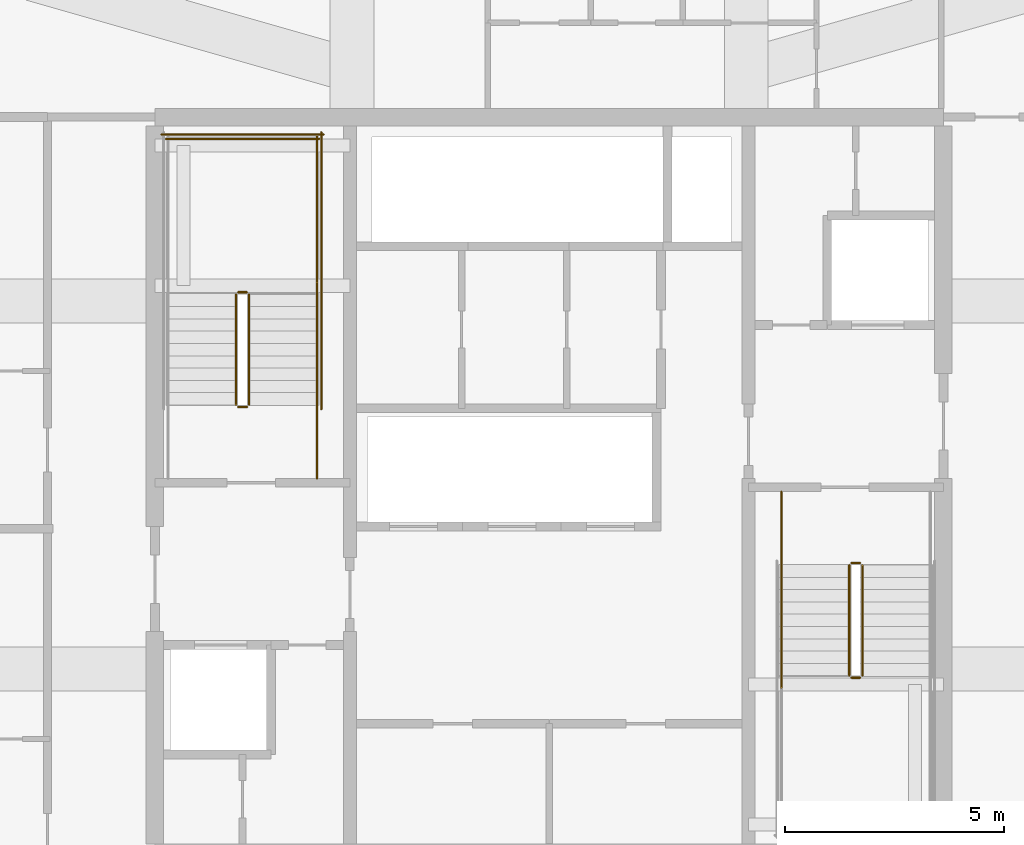
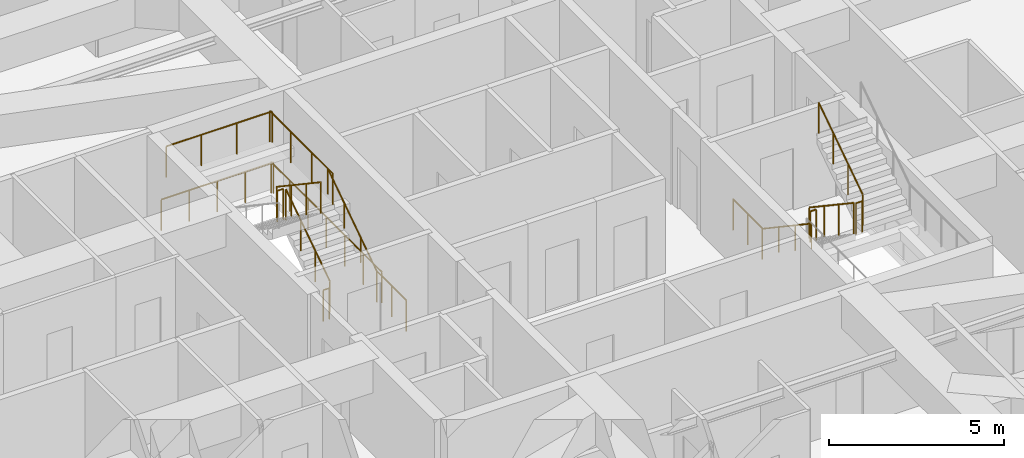
# One storey, part 30 of 32: 16 railings.
"""IFC4 building model written with IfcOpenShell, lengths in metres."""

from ifc_helpers import new_model, si_unit, direction, frame, origin, origin_2d, place, context, subcontext, project, spatial, circle, extrude, material, type_object, element, save


model = new_model("IFC4")

# Units and contexts
model_context = context("Model", 3, precision=1e-05, world=origin(), true_north=direction((0.0, 1.0)))
body_context = subcontext(model_context, "Body", "Model", "MODEL_VIEW")
ifc_project = project(units=[si_unit("LENGTHUNIT", "METRE"), si_unit("AREAUNIT", "SQUARE_METRE"), si_unit("VOLUMEUNIT", "CUBIC_METRE"), si_unit("PLANEANGLEUNIT", "RADIAN"), si_unit("MASSUNIT", "GRAM", prefix="KILO")], contexts=[model_context])

# Site, building, storey
site_placement = place(None, origin())
site = spatial("IfcSite", under=ifc_project, at=site_placement, CompositionType="ELEMENT")
building_placement = place(site_placement, origin())
building = spatial("IfcBuilding", under=site, at=building_placement, Name="Serunith Strait Residences", CompositionType="ELEMENT")
storey_placement = place(building_placement, frame((0.0, 0.0, 195.14990234375)))
storey = spatial("IfcBuildingStorey", under=building, at=storey_placement, Name="L49", CompositionType="ELEMENT", Elevation=195.14990234375)

# Railings
ifc_material = material(Name="Brushed stainless steel 316L", Category="steel")
railing_type_1 = type_object("IfcRailingType", Name="RLG-STAIR-GUARD", PredefinedType="BALUSTRADE", material=ifc_material)
railing_1_placement = place(storey_placement, frame((25.550048828125, 27.030029296875, 0.1875)))
element("IfcRailing", 1, at=railing_1_placement, inside=storey, type_object=railing_type_1, Name="L49 ST-1 stair guard 1", PredefinedType="BALUSTRADE", context=body_context, shape_type="SweptSolid", body=[
    extrude(circle(Radius=0.02392578125, at=origin_2d()), frame((0.0, 0.001708984375, 1.0771484375), z_axis=(0.0, 0.830909170722, 0.55640807867), x_axis=(-1.0, 0.0, 0.0)), (0.0, 0.0, 1.0), 3.02880859375),
    extrude(circle(Radius=0.02099609375, at=origin_2d()), origin(), (0.0, 0.0, 1.0), 1.050048828125),
    extrude(circle(Radius=0.02099609375, at=origin_2d()), frame((0.0, 0.840087890625, 0.5625)), (0.0, 0.0, 1.0), 1.050048828125),
    extrude(circle(Radius=0.02099609375, at=origin_2d()), frame((0.0, 1.679931640625, 1.125)), (0.0, 0.0, 1.0), 1.050048828125),
    extrude(circle(Radius=0.02099609375, at=origin_2d()), frame((0.0, 2.52001953125, 1.6875)), (0.0, 0.0, 1.0), 1.050048828125),
])
railing_2_placement = place(storey_placement, frame((25.5, 29.60009765625, 1.875)))
element("IfcRailing", 2, at=railing_2_placement, inside=storey, type_object=railing_type_1, Name="L49 ST-1 stair guard 2", PredefinedType="BALUSTRADE", context=body_context, shape_type="SweptSolid", body=[
    extrude(circle(Radius=0.02392578125, at=origin_2d()), frame((-0.001953125, 0.0, 1.076171875), z_axis=(-1.0, 0.0, 0.0), x_axis=(0.0, -1.0, 0.0)), (0.0, 0.0, 1.0), 0.196044921875),
    extrude(circle(Radius=0.02099609375, at=origin_2d()), origin(), (0.0, 0.0, 1.0), 1.050048828125),
    extrude(circle(Radius=0.02099609375, at=origin_2d()), frame((-0.199951171875, 0.0, 0.0)), (0.0, 0.0, 1.0), 1.050048828125),
])
railing_3_placement = place(storey_placement, frame((27.10009765625, 29.550048828125, 1.875)))
element("IfcRailing", 3, at=railing_3_placement, inside=storey, type_object=railing_type_1, Name="L49 ST-1 stair guard 3", PredefinedType="BALUSTRADE", context=body_context, shape_type="SweptSolid", body=[
    extrude(circle(Radius=0.02392578125, at=origin_2d()), frame((0.0, 0.001953125, 1.076171875), z_axis=(0.0, 1.0, 0.0), x_axis=(-1.0, 0.0, 0.0)), (0.0, 0.0, 1.0), 3.595947265625),
    extrude(circle(Radius=0.02099609375, at=origin_2d()), origin(), (0.0, 0.0, 1.0), 1.050048828125),
    extrude(circle(Radius=0.02099609375, at=origin_2d()), frame((0.0, 1.199951171875, 0.0)), (0.0, 0.0, 1.0), 1.050048828125),
    extrude(circle(Radius=0.02099609375, at=origin_2d()), frame((0.0, 2.39990234375, 0.0)), (0.0, 0.0, 1.0), 1.050048828125),
    extrude(circle(Radius=0.02099609375, at=origin_2d()), frame((0.0, 3.599853515625, 0.0)), (0.0, 0.0, 1.0), 1.050048828125),
])
railing_4_placement = place(storey_placement, frame((27.14990234375, 33.10009765625, 1.875)))
element("IfcRailing", 4, at=railing_4_placement, inside=storey, type_object=railing_type_1, Name="L49 ST-1 stair guard 5", PredefinedType="BALUSTRADE", context=body_context, shape_type="SweptSolid", body=[
    extrude(circle(Radius=0.02392578125, at=origin_2d()), frame((-0.001953125, 0.0, 1.076171875), z_axis=(-1.0, 0.0, 0.0), x_axis=(0.0, -1.0, 0.0)), (0.0, 0.0, 1.0), 3.49609375),
    extrude(circle(Radius=0.02099609375, at=origin_2d()), origin(), (0.0, 0.0, 1.0), 1.050048828125),
    extrude(circle(Radius=0.02099609375, at=origin_2d()), frame((-1.166748046875, 0.0, 0.0)), (0.0, 0.0, 1.0), 1.050048828125),
    extrude(circle(Radius=0.02099609375, at=origin_2d()), frame((-2.333251953125, 0.0, 0.0)), (0.0, 0.0, 1.0), 1.050048828125),
    extrude(circle(Radius=0.02099609375, at=origin_2d()), frame((-3.5, 0.0, 0.0)), (0.0, 0.0, 1.0), 1.050048828125),
])
railing_5_placement = place(storey_placement, frame((25.25, 29.550048828125, 2.0625)))
element("IfcRailing", 5, at=railing_5_placement, inside=storey, type_object=railing_type_1, Name="L49 ST-1 stair guard 6", PredefinedType="BALUSTRADE", context=body_context, shape_type="SweptSolid", body=[
    extrude(circle(Radius=0.02392578125, at=origin_2d()), frame((0.0, -0.001708984375, 1.0771484375), z_axis=(0.0, -0.830909170722, 0.55640807867), x_axis=(1.0, 0.0, 0.0)), (0.0, 0.0, 1.0), 3.02880859375),
    extrude(circle(Radius=0.02099609375, at=origin_2d()), origin(), (0.0, 0.0, 1.0), 1.050048828125),
    extrude(circle(Radius=0.02099609375, at=origin_2d()), frame((0.0, -0.840087890625, 0.5625)), (0.0, 0.0, 1.0), 1.050048828125),
    extrude(circle(Radius=0.02099609375, at=origin_2d()), frame((0.0, -1.679931640625, 1.125)), (0.0, 0.0, 1.0), 1.050048828125),
    extrude(circle(Radius=0.02099609375, at=origin_2d()), frame((0.0, -2.52001953125, 1.6875)), (0.0, 0.0, 1.0), 1.050048828125),
])
railing_6_placement = place(storey_placement, frame((25.5, 26.97998046875, 0.0)))
element("IfcRailing", 6, at=railing_6_placement, inside=storey, type_object=railing_type_1, Name="L49 ST-1 stair guard 7", PredefinedType="BALUSTRADE", context=body_context, shape_type="SweptSolid", body=[
    extrude(circle(Radius=0.02392578125, at=origin_2d()), frame((-0.001953125, 0.0, 1.076171875), z_axis=(-1.0, 0.0, 0.0), x_axis=(0.0, -1.0, 0.0)), (0.0, 0.0, 1.0), 0.196044921875),
    extrude(circle(Radius=0.02099609375, at=origin_2d()), origin(), (0.0, 0.0, 1.0), 1.050048828125),
    extrude(circle(Radius=0.02099609375, at=origin_2d()), frame((-0.199951171875, 0.0, 0.0)), (0.0, 0.0, 1.0), 1.050048828125),
])
railing_7_placement = place(storey_placement, frame((27.10009765625, 25.35009765625, 0.0)))
element("IfcRailing", 7, at=railing_7_placement, inside=storey, type_object=railing_type_1, Name="L49 ST-1 stair guard 8", PredefinedType="BALUSTRADE", context=body_context, shape_type="SweptSolid", body=[
    extrude(circle(Radius=0.02392578125, at=origin_2d()), frame((0.0, 0.001953125, 1.076171875), z_axis=(0.0, 1.0, 0.0), x_axis=(-1.0, 0.0, 0.0)), (0.0, 0.0, 1.0), 1.676025390625),
    extrude(circle(Radius=0.02099609375, at=origin_2d()), origin(), (0.0, 0.0, 1.0), 1.050048828125),
    extrude(circle(Radius=0.02099609375, at=origin_2d()), frame((0.0, 0.83984375, 0.0)), (0.0, 0.0, 1.0), 1.050048828125),
    extrude(circle(Radius=0.02099609375, at=origin_2d()), frame((0.0, 1.679931640625, 0.0)), (0.0, 0.0, 1.0), 1.050048828125),
])
railing_8_placement = place(storey_placement, frame((27.199951171875, 26.929931640625, 0.0)))
element("IfcRailing", 8, at=railing_8_placement, inside=storey, type_object=railing_type_1, Name="L49 ST-1 stair guard 10", PredefinedType="BALUSTRADE", context=body_context, shape_type="SweptSolid", body=[
    extrude(circle(Radius=0.02392578125, at=origin_2d()), frame((0.0, 0.001953125, 1.076171875), z_axis=(0.0, 1.0, 0.0), x_axis=(-1.0, 0.0, 0.0)), (0.0, 0.0, 1.0), 6.316162109375),
    extrude(circle(Radius=0.02099609375, at=origin_2d()), origin(), (0.0, 0.0, 1.0), 1.050048828125),
    extrude(circle(Radius=0.02099609375, at=origin_2d()), frame((0.0, 1.05322265625, 0.0)), (0.0, 0.0, 1.0), 1.050048828125),
    extrude(circle(Radius=0.02099609375, at=origin_2d()), frame((0.0, 2.106689453125, 0.0)), (0.0, 0.0, 1.0), 1.050048828125),
    extrude(circle(Radius=0.02099609375, at=origin_2d()), frame((0.0, 3.16015625, 0.0)), (0.0, 0.0, 1.0), 1.050048828125),
    extrude(circle(Radius=0.02099609375, at=origin_2d()), frame((0.0, 4.21337890625, 0.0)), (0.0, 0.0, 1.0), 1.050048828125),
    extrude(circle(Radius=0.02099609375, at=origin_2d()), frame((0.0, 5.2666015625, 0.0)), (0.0, 0.0, 1.0), 1.050048828125),
    extrude(circle(Radius=0.02099609375, at=origin_2d()), frame((0.0, 6.320068359375, 0.0)), (0.0, 0.0, 1.0), 1.050048828125),
])
railing_9_placement = place(storey_placement, frame((27.25, 33.199951171875, 0.0)))
element("IfcRailing", 9, at=railing_9_placement, inside=storey, type_object=railing_type_1, Name="L49 ST-1 stair guard 12", PredefinedType="BALUSTRADE", context=body_context, shape_type="SweptSolid", body=[
    extrude(circle(Radius=0.02392578125, at=origin_2d()), frame((-0.001953125, 0.0, 1.076171875), z_axis=(-1.0, 0.0, 0.0), x_axis=(0.0, -1.0, 0.0)), (0.0, 0.0, 1.0), 3.696044921875),
    extrude(circle(Radius=0.02099609375, at=origin_2d()), origin(), (0.0, 0.0, 1.0), 1.050048828125),
    extrude(circle(Radius=0.02099609375, at=origin_2d()), frame((-0.925048828125, 0.0, 0.0)), (0.0, 0.0, 1.0), 1.050048828125),
    extrude(circle(Radius=0.02099609375, at=origin_2d()), frame((-1.85009765625, 0.0, 0.0)), (0.0, 0.0, 1.0), 1.050048828125),
    extrude(circle(Radius=0.02099609375, at=origin_2d()), frame((-2.77490234375, 0.0, 0.0)), (0.0, 0.0, 1.0), 1.050048828125),
    extrude(circle(Radius=0.02099609375, at=origin_2d()), frame((-3.699951171875, 0.0, 0.0)), (0.0, 0.0, 1.0), 1.050048828125),
])
railing_10_placement = place(storey_placement, frame((39.25, 23.3701171875, 0.1875)))
element("IfcRailing", 10, at=railing_10_placement, inside=storey, type_object=railing_type_1, Name="L49 ST-2 stair guard 1", PredefinedType="BALUSTRADE", context=body_context, shape_type="SweptSolid", body=[
    extrude(circle(Radius=0.02392578125, at=origin_2d()), frame((0.0, -0.001708984375, 1.0771484375), z_axis=(0.0, -0.830909170722, 0.55640807867), x_axis=(1.0, 0.0, 0.0)), (0.0, 0.0, 1.0), 3.02880859375),
    extrude(circle(Radius=0.02099609375, at=origin_2d()), origin(), (0.0, 0.0, 1.0), 1.050048828125),
    extrude(circle(Radius=0.02099609375, at=origin_2d()), frame((0.0, -0.840087890625, 0.5625)), (0.0, 0.0, 1.0), 1.050048828125),
    extrude(circle(Radius=0.02099609375, at=origin_2d()), frame((0.0, -1.679931640625, 1.125)), (0.0, 0.0, 1.0), 1.050048828125),
    extrude(circle(Radius=0.02099609375, at=origin_2d()), frame((0.0, -2.52001953125, 1.6875)), (0.0, 0.0, 1.0), 1.050048828125),
])
railing_11_placement = place(storey_placement, frame((39.300048828125, 20.800048828125, 1.875)))
element("IfcRailing", 11, at=railing_11_placement, inside=storey, type_object=railing_type_1, Name="L49 ST-2 stair guard 2", PredefinedType="BALUSTRADE", context=body_context, shape_type="SweptSolid", body=[
    extrude(circle(Radius=0.02392578125, at=origin_2d()), frame((0.001953125, 0.0, 1.076171875), z_axis=(1.0, 0.0, 0.0), x_axis=(0.0, 1.0, 0.0)), (0.0, 0.0, 1.0), 0.196044921875),
    extrude(circle(Radius=0.02099609375, at=origin_2d()), origin(), (0.0, 0.0, 1.0), 1.050048828125),
    extrude(circle(Radius=0.02099609375, at=origin_2d()), frame((0.199951171875, 0.0, 0.0)), (0.0, 0.0, 1.0), 1.050048828125),
])
railing_12_placement = place(storey_placement, frame((39.550048828125, 20.85009765625, 2.0625)))
element("IfcRailing", 12, at=railing_12_placement, inside=storey, type_object=railing_type_1, Name="L49 ST-2 stair guard 6", PredefinedType="BALUSTRADE", context=body_context, shape_type="SweptSolid", body=[
    extrude(circle(Radius=0.02392578125, at=origin_2d()), frame((0.0, 0.001708984375, 1.0771484375), z_axis=(0.0, 0.830909170722, 0.55640807867), x_axis=(-1.0, 0.0, 0.0)), (0.0, 0.0, 1.0), 3.02880859375),
    extrude(circle(Radius=0.02099609375, at=origin_2d()), origin(), (0.0, 0.0, 1.0), 1.050048828125),
    extrude(circle(Radius=0.02099609375, at=origin_2d()), frame((0.0, 0.840087890625, 0.5625)), (0.0, 0.0, 1.0), 1.050048828125),
    extrude(circle(Radius=0.02099609375, at=origin_2d()), frame((0.0, 1.679931640625, 1.125)), (0.0, 0.0, 1.0), 1.050048828125),
    extrude(circle(Radius=0.02099609375, at=origin_2d()), frame((0.0, 2.52001953125, 1.6875)), (0.0, 0.0, 1.0), 1.050048828125),
])
railing_13_placement = place(storey_placement, frame((39.300048828125, 23.419921875, 0.0)))
element("IfcRailing", 13, at=railing_13_placement, inside=storey, type_object=railing_type_1, Name="L49 ST-2 stair guard 7", PredefinedType="BALUSTRADE", context=body_context, shape_type="SweptSolid", body=[
    extrude(circle(Radius=0.02392578125, at=origin_2d()), frame((0.001953125, 0.0, 1.076171875), z_axis=(1.0, 0.0, 0.0), x_axis=(0.0, 1.0, 0.0)), (0.0, 0.0, 1.0), 0.196044921875),
    extrude(circle(Radius=0.02099609375, at=origin_2d()), origin(), (0.0, 0.0, 1.0), 1.050048828125),
    extrude(circle(Radius=0.02099609375, at=origin_2d()), frame((0.199951171875, 0.0, 0.0)), (0.0, 0.0, 1.0), 1.050048828125),
])
railing_14_placement = place(storey_placement, frame((37.699951171875, 25.050048828125, 0.0)))
element("IfcRailing", 14, at=railing_14_placement, inside=storey, type_object=railing_type_1, Name="L49 ST-2 stair guard 8", PredefinedType="BALUSTRADE", context=body_context, shape_type="SweptSolid", body=[
    extrude(circle(Radius=0.02392578125, at=origin_2d()), frame((0.0, -0.001953125, 1.076171875), z_axis=(0.0, -1.0, 0.0), x_axis=(1.0, 0.0, 0.0)), (0.0, 0.0, 1.0), 1.676025390625),
    extrude(circle(Radius=0.02099609375, at=origin_2d()), origin(), (0.0, 0.0, 1.0), 1.050048828125),
    extrude(circle(Radius=0.02099609375, at=origin_2d()), frame((0.0, -0.83984375, 0.0)), (0.0, 0.0, 1.0), 1.050048828125),
    extrude(circle(Radius=0.02099609375, at=origin_2d()), frame((0.0, -1.679931640625, 0.0)), (0.0, 0.0, 1.0), 1.050048828125),
])
railing_type_2 = type_object("IfcRailingType", Name="RLG-STAIR-HR", PredefinedType="HANDRAIL", material=ifc_material)
railing_15_placement = place(storey_placement, frame((27.10009765625, 27.030029296875, 0.1875)))
element("IfcRailing", 15, at=railing_15_placement, inside=storey, type_object=railing_type_2, Name="L49 ST-1 stair handrail 1", PredefinedType="HANDRAIL", context=body_context, shape_type="SweptSolid", body=[
    extrude(circle(Radius=0.02392578125, at=origin_2d()), frame((0.0, 0.001708984375, 0.876953125), z_axis=(0.0, 0.830208209119, 0.557453432594), x_axis=(-1.0, 0.0, 0.0)), (0.0, 0.0, 1.0), 3.36865234375),
    extrude(circle(Radius=0.02099609375, at=origin_2d()), origin(), (0.0, 0.0, 1.0), 0.849853515625),
    extrude(circle(Radius=0.02099609375, at=origin_2d()), frame((0.0, 0.933349609375, 0.626708984375)), (0.0, 0.0, 1.0), 0.849853515625),
    extrude(circle(Radius=0.02099609375, at=origin_2d()), frame((0.0, 1.86669921875, 1.25341796875)), (0.0, 0.0, 1.0), 0.849853515625),
    extrude(circle(Radius=0.02099609375, at=origin_2d()), frame((0.0, 2.800048828125, 1.880126953125)), (0.0, 0.0, 1.0), 0.849853515625),
])
railing_16_placement = place(storey_placement, frame((37.699951171875, 23.3701171875, 0.1875)))
element("IfcRailing", 16, at=railing_16_placement, inside=storey, type_object=railing_type_2, Name="L49 ST-2 stair handrail 1", PredefinedType="HANDRAIL", context=body_context, shape_type="SweptSolid", body=[
    extrude(circle(Radius=0.02392578125, at=origin_2d()), frame((0.0, -0.001708984375, 0.876953125), z_axis=(0.0, -0.830208209119, 0.557453432594), x_axis=(1.0, 0.0, 0.0)), (0.0, 0.0, 1.0), 3.36865234375),
    extrude(circle(Radius=0.02099609375, at=origin_2d()), origin(), (0.0, 0.0, 1.0), 0.849853515625),
    extrude(circle(Radius=0.02099609375, at=origin_2d()), frame((0.0, -0.933349609375, 0.626708984375)), (0.0, 0.0, 1.0), 0.849853515625),
    extrude(circle(Radius=0.02099609375, at=origin_2d()), frame((0.0, -1.86669921875, 1.25341796875)), (0.0, 0.0, 1.0), 0.849853515625),
    extrude(circle(Radius=0.02099609375, at=origin_2d()), frame((0.0, -2.800048828125, 1.880126953125)), (0.0, 0.0, 1.0), 0.849853515625),
])

save(model, "model.ifc")
